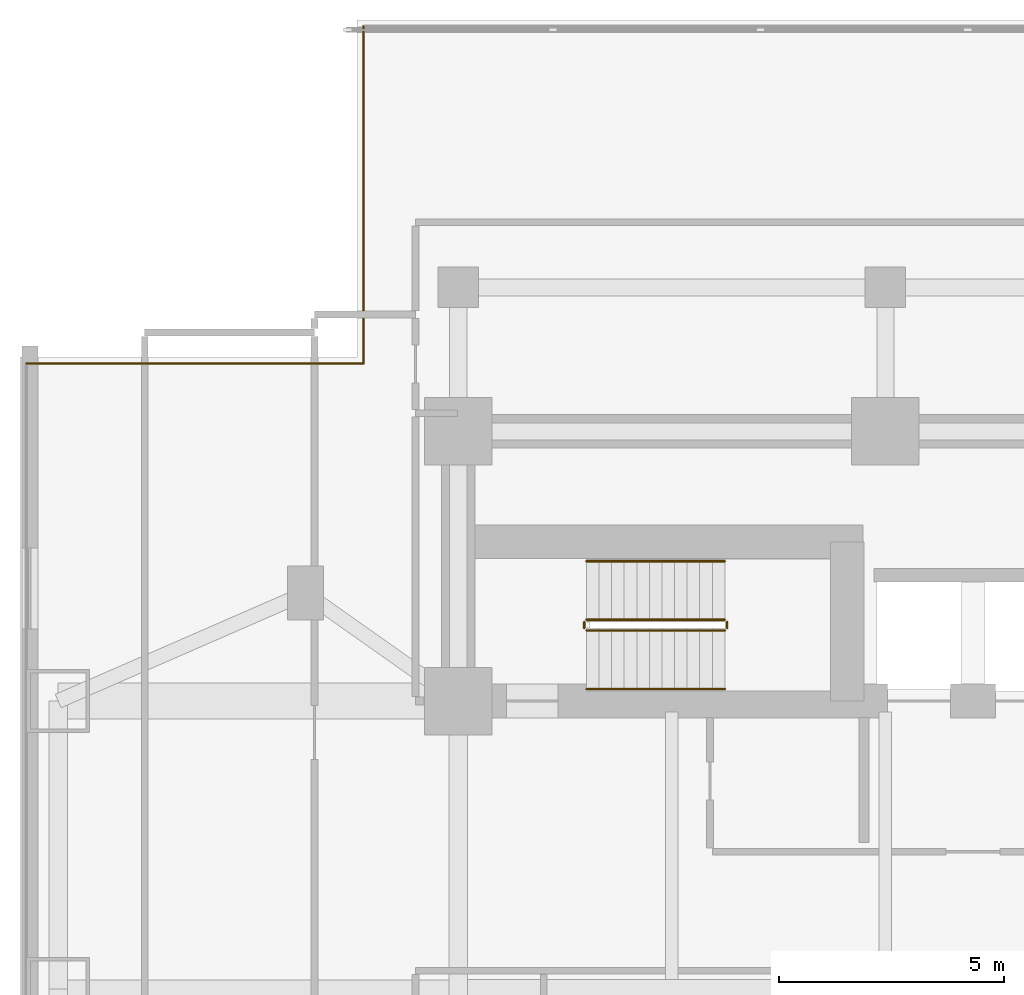
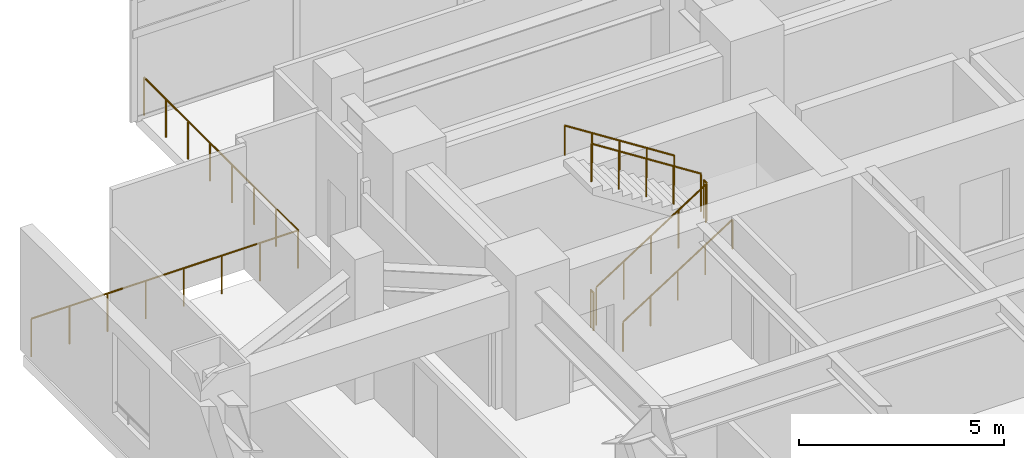
# One storey, part 22 of 26: 8 railings.
"""IFC4 building model written with IfcOpenShell, lengths in metres."""

from ifc_helpers import new_model, si_unit, direction, frame, origin, origin_2d, place, context, subcontext, project, spatial, circle, extrude, material, type_object, element, save


model = new_model("IFC4")

# Units and contexts
model_context = context("Model", 3, precision=1e-05, world=origin(), true_north=direction((0.0, 1.0)))
body_context = subcontext(model_context, "Body", "Model", "MODEL_VIEW")
ifc_project = project(units=[si_unit("LENGTHUNIT", "METRE"), si_unit("AREAUNIT", "SQUARE_METRE"), si_unit("VOLUMEUNIT", "CUBIC_METRE"), si_unit("PLANEANGLEUNIT", "RADIAN"), si_unit("MASSUNIT", "GRAM", prefix="KILO")], contexts=[model_context])

# Site, building, storey
site_placement = place(None, origin())
site = spatial("IfcSite", under=ifc_project, at=site_placement, CompositionType="ELEMENT")
building_placement = place(site_placement, origin())
building = spatial("IfcBuilding", under=site, at=building_placement, Name="Mirazonda Arch Towers", CompositionType="ELEMENT")
storey_placement = place(building_placement, frame((0.0, 0.0, 13.800048828125)))
storey = spatial("IfcBuildingStorey", under=building, at=storey_placement, Name="L03", CompositionType="ELEMENT", Elevation=13.800048828125)

# Railings
ifc_material = material(Name="Architectural Brushed Steel S355", Category="steel")
railing_type_1 = type_object("IfcRailingType", Name="GUARD-EXT-1150", PredefinedType="GUARDRAIL", material=ifc_material)
railing_1_placement = place(storey_placement, frame((8.889892578125, 52.610107421875, 0.0)))
element("IfcRailing", 1, at=railing_1_placement, inside=storey, type_object=railing_type_1, Name="L03 L03 Bridged Podium Perimeter Guard 08", PredefinedType="GUARDRAIL", context=body_context, shape_type="SweptSolid", body=[
    extrude(circle(Radius=0.02392578125, at=origin_2d()), frame((0.0, 0.0, 1.1259765625), z_axis=(0.0, -1.0, 0.0), x_axis=(1.0, 0.0, 0.0)), (0.0, 0.0, 1.0), 7.5),
    extrude(circle(Radius=0.02099609375, at=origin_2d()), origin(), (0.0, 0.0, 1.0), 1.101806640625),
    extrude(circle(Radius=0.02099609375, at=origin_2d()), frame((0.0, -1.071533203125, 0.0)), (0.0, 0.0, 1.0), 1.101806640625),
    extrude(circle(Radius=0.02099609375, at=origin_2d()), frame((0.0, -2.142822265625, 0.0)), (0.0, 0.0, 1.0), 1.101806640625),
    extrude(circle(Radius=0.02099609375, at=origin_2d()), frame((0.0, -3.21435546875, 0.0)), (0.0, 0.0, 1.0), 1.101806640625),
    extrude(circle(Radius=0.02099609375, at=origin_2d()), frame((0.0, -4.28564453125, 0.0)), (0.0, 0.0, 1.0), 1.101806640625),
    extrude(circle(Radius=0.02099609375, at=origin_2d()), frame((0.0, -5.357177734375, 0.0)), (0.0, 0.0, 1.0), 1.101806640625),
    extrude(circle(Radius=0.02099609375, at=origin_2d()), frame((0.0, -6.428466796875, 0.0)), (0.0, 0.0, 1.0), 1.101806640625),
    extrude(circle(Radius=0.02099609375, at=origin_2d()), frame((0.0, -7.5, 0.0)), (0.0, 0.0, 1.0), 1.101806640625),
])
railing_2_placement = place(storey_placement, frame((8.889892578125, 45.110107421875, 0.0)))
element("IfcRailing", 2, at=railing_2_placement, inside=storey, type_object=railing_type_1, Name="L03 L03 Bridged Podium Perimeter Guard 09", PredefinedType="GUARDRAIL", context=body_context, shape_type="SweptSolid", body=[
    extrude(circle(Radius=0.02392578125, at=origin_2d()), frame((0.0, 0.0, 1.1259765625), z_axis=(-1.0, 0.0, 0.0), x_axis=(0.0, -1.0, 0.0)), (0.0, 0.0, 1.0), 7.5),
    extrude(circle(Radius=0.02099609375, at=origin_2d()), origin(), (0.0, 0.0, 1.0), 1.101806640625),
    extrude(circle(Radius=0.02099609375, at=origin_2d()), frame((-1.071533203125, 0.0, 0.0)), (0.0, 0.0, 1.0), 1.101806640625),
    extrude(circle(Radius=0.02099609375, at=origin_2d()), frame((-2.142822265625, 0.0, 0.0)), (0.0, 0.0, 1.0), 1.101806640625),
    extrude(circle(Radius=0.02099609375, at=origin_2d()), frame((-3.21435546875, 0.0, 0.0)), (0.0, 0.0, 1.0), 1.101806640625),
    extrude(circle(Radius=0.02099609375, at=origin_2d()), frame((-4.28564453125, 0.0, 0.0)), (0.0, 0.0, 1.0), 1.101806640625),
    extrude(circle(Radius=0.02099609375, at=origin_2d()), frame((-5.357177734375, 0.0, 0.0)), (0.0, 0.0, 1.0), 1.101806640625),
    extrude(circle(Radius=0.02099609375, at=origin_2d()), frame((-6.428466796875, 0.0, 0.0)), (0.0, 0.0, 1.0), 1.101806640625),
    extrude(circle(Radius=0.02099609375, at=origin_2d()), frame((-7.5, 0.0, 0.0)), (0.0, 0.0, 1.0), 1.101806640625),
])
railing_type_2 = type_object("IfcRailingType", Name="GUARD-STAIR-1120", PredefinedType="GUARDRAIL", material=ifc_material)
railing_3_placement = place(storey_placement, frame((13.85009765625, 39.169921875, 0.17919921875)))
element("IfcRailing", 3, at=railing_3_placement, inside=storey, type_object=railing_type_2, Name="L03 ST-T1N stair guard 1", PredefinedType="GUARDRAIL", context=body_context, shape_type="SweptSolid", body=[
    extrude(circle(Radius=0.02392578125, at=origin_2d()), frame((0.0, 0.0, 1.1259765625), z_axis=(0.842319903074, 0.0, 0.538977903893), x_axis=(0.0, 1.0, 0.0)), (0.0, 0.0, 1.0), 3.65625),
    extrude(circle(Radius=0.02099609375, at=origin_2d()), origin(), (0.0, 0.0, 1.0), 1.101806640625),
    extrude(circle(Radius=0.02099609375, at=origin_2d()), frame((0.77001953125, 0.0, 0.49267578125)), (0.0, 0.0, 1.0), 1.101806640625),
    extrude(circle(Radius=0.02099609375, at=origin_2d()), frame((1.5400390625, 0.0, 0.9853515625)), (0.0, 0.0, 1.0), 1.101806640625),
    extrude(circle(Radius=0.02099609375, at=origin_2d()), frame((2.309814453125, 0.0, 1.47802734375)), (0.0, 0.0, 1.0), 1.101806640625),
    extrude(circle(Radius=0.02099609375, at=origin_2d()), frame((3.079833984375, 0.0, 1.970703125)), (0.0, 0.0, 1.0), 1.101806640625),
])
railing_4_placement = place(storey_placement, frame((16.97998046875, 39.219970703125, 2.14990234375)))
element("IfcRailing", 4, at=railing_4_placement, inside=storey, type_object=railing_type_2, Name="L03 ST-T1N stair guard 2", PredefinedType="GUARDRAIL", context=body_context, shape_type="SweptSolid", body=[
    extrude(circle(Radius=0.02392578125, at=origin_2d()), frame((0.0, 0.0, 1.1259765625), z_axis=(0.0, 1.0, 0.0), x_axis=(-1.0, 0.0, 0.0)), (0.0, 0.0, 1.0), 0.14013671875),
    extrude(circle(Radius=0.02099609375, at=origin_2d()), origin(), (0.0, 0.0, 1.0), 1.101806640625),
    extrude(circle(Radius=0.02099609375, at=origin_2d()), frame((0.0, 0.14013671875, 0.0)), (0.0, 0.0, 1.0), 1.101806640625),
])
railing_5_placement = place(storey_placement, frame((16.929931640625, 39.409912109375, 2.3291015625)))
element("IfcRailing", 5, at=railing_5_placement, inside=storey, type_object=railing_type_2, Name="L03 ST-T1N stair guard 3", PredefinedType="GUARDRAIL", context=body_context, shape_type="SweptSolid", body=[
    extrude(circle(Radius=0.02392578125, at=origin_2d()), frame((0.0, 0.0, 1.1259765625), z_axis=(-0.842289589211, 0.0, 0.539025275759), x_axis=(0.0, -1.0, 0.0)), (0.0, 0.0, 1.0), 3.656494140625),
    extrude(circle(Radius=0.02099609375, at=origin_2d()), origin(), (0.0, 0.0, 1.0), 1.101806640625),
    extrude(circle(Radius=0.02099609375, at=origin_2d()), frame((-0.77001953125, 0.0, 0.49267578125)), (0.0, 0.0, 1.0), 1.101806640625),
    extrude(circle(Radius=0.02099609375, at=origin_2d()), frame((-1.5400390625, 0.0, 0.9853515625)), (0.0, 0.0, 1.0), 1.101806640625),
    extrude(circle(Radius=0.02099609375, at=origin_2d()), frame((-2.309814453125, 0.0, 1.478271484375)), (0.0, 0.0, 1.0), 1.101806640625),
    extrude(circle(Radius=0.02099609375, at=origin_2d()), frame((-3.079833984375, 0.0, 1.970947265625)), (0.0, 0.0, 1.0), 1.101806640625),
])
railing_6_placement = place(storey_placement, frame((13.800048828125, 39.219970703125, 0.0)))
element("IfcRailing", 6, at=railing_6_placement, inside=storey, type_object=railing_type_2, Name="L03 ST-T1N stair guard 4", PredefinedType="GUARDRAIL", context=body_context, shape_type="SweptSolid", body=[
    extrude(circle(Radius=0.02392578125, at=origin_2d()), frame((0.0, 0.0, 1.1259765625), z_axis=(0.0, 1.0, 0.0), x_axis=(-1.0, 0.0, 0.0)), (0.0, 0.0, 1.0), 0.14013671875),
    extrude(circle(Radius=0.02099609375, at=origin_2d()), origin(), (0.0, 0.0, 1.0), 1.101806640625),
    extrude(circle(Radius=0.02099609375, at=origin_2d()), frame((0.0, 0.14013671875, 0.0)), (0.0, 0.0, 1.0), 1.101806640625),
])
railing_type_3 = type_object("IfcRailingType", Name="HANDRAIL-915", PredefinedType="HANDRAIL", material=ifc_material)
railing_7_placement = place(storey_placement, frame((13.85009765625, 37.8701171875, 0.17919921875)))
element("IfcRailing", 7, at=railing_7_placement, inside=storey, type_object=railing_type_3, Name="L03 ST-T1N stair handrail 1", PredefinedType="HANDRAIL", context=body_context, shape_type="SweptSolid", body=[
    extrude(circle(Radius=0.02392578125, at=origin_2d()), frame((0.0, 0.0, 0.8759765625), z_axis=(0.842319903074, 0.0, 0.538977903893), x_axis=(0.0, 1.0, 0.0)), (0.0, 0.0, 1.0), 3.65625),
    extrude(circle(Radius=0.02099609375, at=origin_2d()), origin(), (0.0, 0.0, 1.0), 0.851806640625),
    extrude(circle(Radius=0.02099609375, at=origin_2d()), frame((0.77001953125, 0.0, 0.49267578125)), (0.0, 0.0, 1.0), 0.851806640625),
    extrude(circle(Radius=0.02099609375, at=origin_2d()), frame((1.5400390625, 0.0, 0.9853515625)), (0.0, 0.0, 1.0), 0.851806640625),
    extrude(circle(Radius=0.02099609375, at=origin_2d()), frame((2.309814453125, 0.0, 1.47802734375)), (0.0, 0.0, 1.0), 0.851806640625),
    extrude(circle(Radius=0.02099609375, at=origin_2d()), frame((3.079833984375, 0.0, 1.970703125)), (0.0, 0.0, 1.0), 0.851806640625),
])
railing_8_placement = place(storey_placement, frame((16.929931640625, 40.7099609375, 2.3291015625)))
element("IfcRailing", 8, at=railing_8_placement, inside=storey, type_object=railing_type_3, Name="L03 ST-T1N stair handrail 2", PredefinedType="HANDRAIL", context=body_context, shape_type="SweptSolid", body=[
    extrude(circle(Radius=0.02392578125, at=origin_2d()), frame((0.0, 0.0, 0.8759765625), z_axis=(-0.842289589211, 0.0, 0.539025275759), x_axis=(0.0, -1.0, 0.0)), (0.0, 0.0, 1.0), 3.656494140625),
    extrude(circle(Radius=0.02099609375, at=origin_2d()), origin(), (0.0, 0.0, 1.0), 0.851806640625),
    extrude(circle(Radius=0.02099609375, at=origin_2d()), frame((-0.77001953125, 0.0, 0.49267578125)), (0.0, 0.0, 1.0), 0.851806640625),
    extrude(circle(Radius=0.02099609375, at=origin_2d()), frame((-1.5400390625, 0.0, 0.9853515625)), (0.0, 0.0, 1.0), 0.851806640625),
    extrude(circle(Radius=0.02099609375, at=origin_2d()), frame((-2.309814453125, 0.0, 1.478271484375)), (0.0, 0.0, 1.0), 0.851806640625),
    extrude(circle(Radius=0.02099609375, at=origin_2d()), frame((-3.079833984375, 0.0, 1.970947265625)), (0.0, 0.0, 1.0), 0.851806640625),
])

save(model, "model.ifc")
